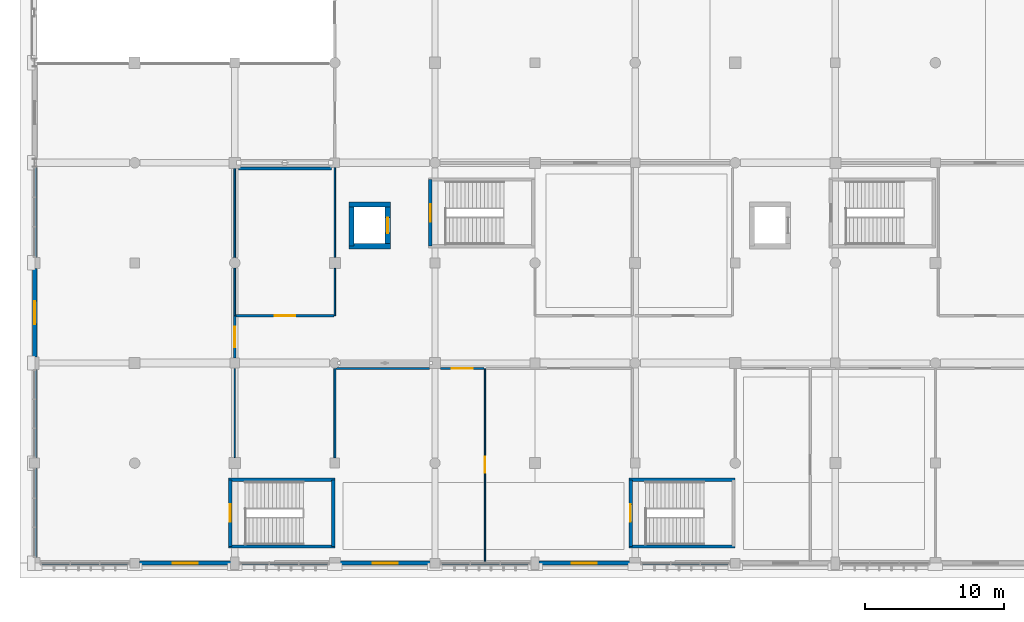
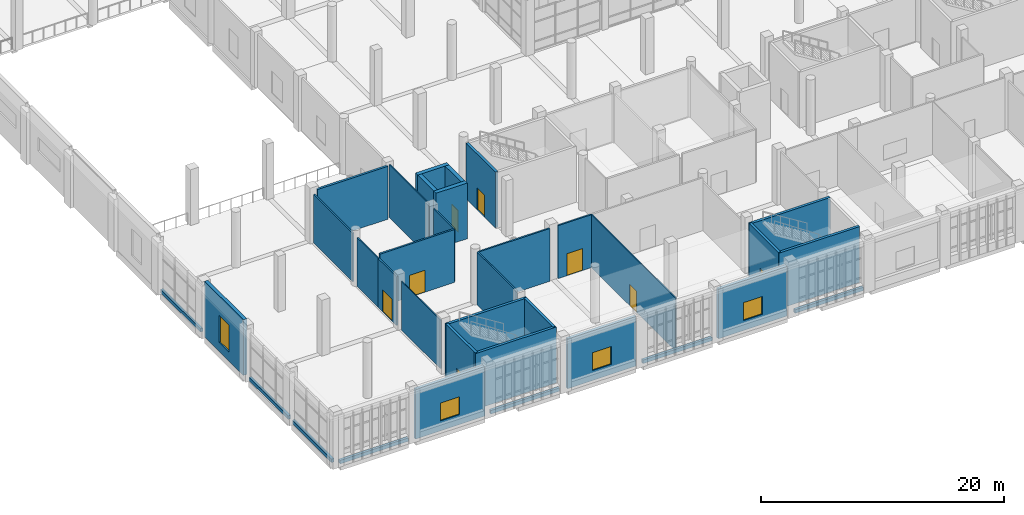
# One storey, part 50 of 80: 35 walls, 8 doors, 4 windows, 12 openings.
"""IFC4 building model written with IfcOpenShell, lengths in metres."""

from ifc_helpers import new_model, si_unit, direction, frame, frame_2d, origin, place, context, subcontext, project, spatial, rectangle, extrude, material, layer, layer_set, type_object, element, fill, save


model = new_model("IFC4")

# Units and contexts
model_context = context("Model", 3, precision=1e-05, world=origin(), true_north=direction((0.0, 1.0)))
body_context = subcontext(model_context, "Body", "Model", "MODEL_VIEW")
ifc_project = project(units=[si_unit("LENGTHUNIT", "METRE"), si_unit("AREAUNIT", "SQUARE_METRE"), si_unit("VOLUMEUNIT", "CUBIC_METRE"), si_unit("PLANEANGLEUNIT", "RADIAN"), si_unit("MASSUNIT", "GRAM", prefix="KILO")], contexts=[model_context])

# Site, building, storey
site_placement = place(None, origin())
site = spatial("IfcSite", under=ifc_project, at=site_placement, CompositionType="ELEMENT")
building_placement = place(site_placement, origin())
building = spatial("IfcBuilding", under=site, at=building_placement, Name="Sardonyx Promenade Sports Hall", CompositionType="ELEMENT")
storey_placement = place(building_placement, frame((0.0, 0.0, 5.60009765625)))
storey = spatial("IfcBuildingStorey", under=building, at=storey_placement, Name="L01", CompositionType="ELEMENT", Elevation=5.60009765625)

# Wall, opening, door
ifc_material_1 = material(Name="Concrete C40/50", Category="concrete")
ifc_layer_1 = layer(ifc_material_1, 0.3798828125)
ifc_layer_set_1 = layer_set([ifc_layer_1], Name="Wall_Core_Shear_380")
wall_type_1 = type_object("IfcWallType", Name="Wall_Core_Shear_380", PredefinedType="SHEAR", material=ifc_layer_set_1)
wall_1_placement = place(storey_placement, frame((25.39990234375, 22.800048828125, 0.0), z_axis=(0.0, 0.0, 1.0), x_axis=(0.0, 1.0, 0.0)))
wall_1 = element("IfcWall", 1, at=wall_1_placement, inside=storey, type_object=wall_type_1, Name="Lift shaft wall LF1 L01 E", PredefinedType="SHEAR", context=body_context, shape_type="SweptSolid", body=[
    extrude(rectangle(XDim=3.0, YDim=0.3798828125, at=frame_2d((1.5, 0.0))), origin(), (0.0, 0.0, 1.0), 5.599853515625),
])
opening_1_placement = place(wall_1_placement, frame((0.949951171875, 0.0, 0.0)))
opening_1 = element("IfcOpeningElement", 2, at=opening_1_placement, cuts=wall_1, Name="Opening LD01", PredefinedType="OPENING", context=body_context, shape_type="SweptSolid", body=[
    extrude(rectangle(XDim=1.10009765625, YDim=2.199951171875, at=frame_2d((0.550048828125, 1.10009765625))), frame((0.0, 0.2, 0.0), z_axis=(0.0, -1.0, 0.0), x_axis=(1.0, 0.0, 0.0)), (0.0, 0.0, 1.0), 0.4),
])
ifc_material_2 = material(Name="Fire-rated stainless steel sliding lift door", Category="steel")
door_type_1 = type_object("IfcDoorType", Name="Door_Lift_Pass_110x220", OperationType="NOTDEFINED", PredefinedType="DOOR", material=ifc_material_2)
door_1_placement = place(opening_1_placement, origin())
door_1 = element("IfcDoor", 3, at=door_1_placement, inside=storey, type_object=door_type_1, Name="Lift landing sliding door LD-LF1-L01", OperationType="SLIDING_TO_LEFT", OverallHeight=2.199951171875, OverallWidth=1.10009765625, PredefinedType="DOOR", context=body_context, shape_type="SweptSolid", body=[
    extrude(rectangle(XDim=1.10009765625, YDim=2.199951171875, at=frame_2d((0.550048828125, 1.10009765625))), frame((0.0, 0.02490234375, 0.0), z_axis=(0.0, -1.0, 0.0), x_axis=(1.0, 0.0, 0.0)), (0.0, 0.0, 1.0), 0.050048828125),
])
fill(opening_1, door_1)

# Walls
wall_2_placement = place(storey_placement, frame((22.610107421875, 25.800048828125, 0.0), z_axis=(0.0, 0.0, 1.0), x_axis=(1.0, 0.0, 0.0)))
element("IfcWall", 4, at=wall_2_placement, inside=storey, type_object=wall_type_1, Name="Lift shaft wall LF1 L01 N", PredefinedType="SHEAR", context=body_context, shape_type="SweptSolid", body=[
    extrude(rectangle(XDim=2.97998046875, YDim=0.3798828125, at=frame_2d((1.489990234375, 0.0))), origin(), (0.0, 0.0, 1.0), 5.599853515625),
])
wall_3_placement = place(storey_placement, frame((22.800048828125, 25.800048828125, 0.0), z_axis=(0.0, 0.0, 1.0), x_axis=(0.0, -1.0, 0.0)))
element("IfcWall", 5, at=wall_3_placement, inside=storey, type_object=wall_type_1, Name="Lift shaft wall LF1 L01 W", PredefinedType="SHEAR", context=body_context, shape_type="SweptSolid", body=[
    extrude(rectangle(XDim=3.0, YDim=0.3798828125, at=frame_2d((1.5, 0.0))), origin(), (0.0, 0.0, 1.0), 5.599853515625),
])
wall_4_placement = place(storey_placement, frame((25.590087890625, 22.800048828125, 0.0), z_axis=(0.0, 0.0, 1.0), x_axis=(-1.0, 0.0, 0.0)))
element("IfcWall", 6, at=wall_4_placement, inside=storey, type_object=wall_type_1, Name="Lift shaft wall LF1 L01 S", PredefinedType="SHEAR", context=body_context, shape_type="SweptSolid", body=[
    extrude(rectangle(XDim=2.97998046875, YDim=0.3798828125, at=frame_2d((1.489990234375, 0.0))), origin(), (0.0, 0.0, 1.0), 5.599853515625),
])

# Wall, opening, window
ifc_material_3 = material(Name="Concrete C40/50", Category="concrete")
ifc_layer_2 = layer(ifc_material_3, 0.320068359375)
ifc_layer_set_2 = layer_set([ifc_layer_2], Name="Wall_Ext_Court_320")
wall_type_2 = type_object("IfcWallType", Name="Wall_Ext_Court_320", PredefinedType="SOLIDWALL", material=ifc_layer_set_2)
wall_5_placement = place(storey_placement, frame((0.0, 14.8349609375, 0.0), z_axis=(0.0, 0.0, 1.0), x_axis=(0.0, 1.0, 0.0)))
wall_5 = element("IfcWall", 7, at=wall_5_placement, inside=storey, type_object=wall_type_2, Name="Exterior wall EW01 L01 #140", PredefinedType="SOLIDWALL", context=body_context, shape_type="SweptSolid", body=[
    extrude(rectangle(XDim=6.380126953125, YDim=0.320068359375, at=frame_2d((3.18994140625, 0.0))), origin(), (0.0, 0.0, 1.0), 5.599853515625),
])
opening_2_placement = place(wall_5_placement, frame((2.364990234375, 0.0, 0.89990234375)))
opening_2 = element("IfcOpeningElement", 8, at=opening_2_placement, cuts=wall_5, Name="Opening W10", PredefinedType="OPENING", context=body_context, shape_type="SweptSolid", body=[
    extrude(rectangle(XDim=1.64990234375, YDim=2.699951171875, at=frame_2d((0.824951171875, 1.35009765625))), frame((0.0, 0.17, 0.0), z_axis=(0.0, -1.0, 0.0), x_axis=(1.0, 0.0, 0.0)), (0.0, 0.0, 1.0), 0.34),
])
ifc_material_4 = material(Name="Double-glazed solar low-E aluminium window", Category="aluminium")
window_type_1 = type_object("IfcWindowType", Name="Win_Sandstone_TallB", PartitioningType="SINGLE_PANEL", PredefinedType="WINDOW", material=ifc_material_4)
window_1_placement = place(opening_2_placement, origin())
window_1 = element("IfcWindow", 9, at=window_1_placement, inside=storey, type_object=window_type_1, Name="Facade window W10 L01 #59", OverallHeight=2.699951171875, OverallWidth=1.64990234375, PartitioningType="SINGLE_PANEL", PredefinedType="WINDOW", context=body_context, shape_type="SweptSolid", body=[
    extrude(rectangle(XDim=1.64990234375, YDim=2.699951171875, at=frame_2d((0.824951171875, 1.35009765625))), frame((0.0, 0.030029296875, 0.0), z_axis=(0.0, -1.0, 0.0), x_axis=(1.0, 0.0, 0.0)), (0.0, 0.0, 1.0), 0.06005859375),
])
fill(opening_2, window_1)

# Walls
ifc_material_5 = material(Name="Masonry CMU 15 MPa", Category="masonry")
ifc_layer_3 = layer(ifc_material_5, 0.239990234375)
ifc_layer_set_3 = layer_set([ifc_layer_3], Name="Wall_Ext_Spandrel_240")
wall_type_3 = type_object("IfcWallType", Name="Wall_Ext_Spandrel_240", PredefinedType="SOLIDWALL", material=ifc_layer_set_3)
wall_6_placement = place(storey_placement, frame((50.06494140625, 0.0, 0.0), z_axis=(0.0, 0.0, 1.0), x_axis=(-1.0, 0.0, 0.0)))
element("IfcWall", 10, at=wall_6_placement, inside=storey, type_object=wall_type_3, Name="Curtain-wall sill spandrel L01 #47", PredefinedType="SOLIDWALL", context=body_context, shape_type="SweptSolid", body=[
    extrude(rectangle(XDim=6.47998046875, YDim=0.239990234375, at=frame_2d((3.239990234375, 0.0))), origin(), (0.0, 0.0, 1.0), 0.349853515625),
])
wall_7_placement = place(storey_placement, frame((35.715087890625, 0.0, 0.0), z_axis=(0.0, 0.0, 1.0), x_axis=(-1.0, 0.0, 0.0)))
element("IfcWall", 11, at=wall_7_placement, inside=storey, type_object=wall_type_3, Name="Curtain-wall sill spandrel L01 #49", PredefinedType="SOLIDWALL", context=body_context, shape_type="SweptSolid", body=[
    extrude(rectangle(XDim=6.580078125, YDim=0.239990234375, at=frame_2d((3.2900390625, 0.0))), origin(), (0.0, 0.0, 1.0), 0.349853515625),
])
wall_8_placement = place(storey_placement, frame((21.215087890625, 0.0, 0.0), z_axis=(0.0, 0.0, 1.0), x_axis=(-1.0, 0.0, 0.0)))
element("IfcWall", 12, at=wall_8_placement, inside=storey, type_object=wall_type_3, Name="Curtain-wall sill spandrel L01 #51", PredefinedType="SOLIDWALL", context=body_context, shape_type="SweptSolid", body=[
    extrude(rectangle(XDim=6.530029296875, YDim=0.239990234375, at=frame_2d((3.26513671875, 0.0))), origin(), (0.0, 0.0, 1.0), 0.349853515625),
])
for number, where, z_axis, x_axis, name in (
    (13, (6.864990234375, 0.0, 0.0), (0.0, 0.0, 1.0), (-1.0, 0.0, 0.0), "Curtain-wall sill spandrel L01 #53"),
    (14, (0.0, 0.385009765625, 0.0), (0.0, 0.0, 1.0), (0.0, 1.0, 0.0), "Curtain-wall sill spandrel L01 #138"),
):
    element("IfcWall", number, at=place(storey_placement, frame(where, z_axis=z_axis, x_axis=x_axis)), inside=storey, type_object=wall_type_3, Name=name, PredefinedType="SOLIDWALL", context=body_context, shape_type="SweptSolid", body=[
        extrude(rectangle(XDim=6.47998046875, YDim=0.239990234375, at=frame_2d((3.239990234375, 0.0))), origin(), (0.0, 0.0, 1.0), 0.349853515625),
    ])
wall_9_placement = place(storey_placement, frame((0.0, 7.534912109375, 0.0), z_axis=(0.0, 0.0, 1.0), x_axis=(0.0, 1.0, 0.0)))
element("IfcWall", 15, at=wall_9_placement, inside=storey, type_object=wall_type_3, Name="Curtain-wall sill spandrel L01 #139", PredefinedType="SOLIDWALL", context=body_context, shape_type="SweptSolid", body=[
    extrude(rectangle(XDim=6.43017578125, YDim=0.239990234375, at=frame_2d((3.215087890625, 0.0))), origin(), (0.0, 0.0, 1.0), 0.349853515625),
])
wall_10_placement = place(storey_placement, frame((0.0, 21.985107421875, 0.0), z_axis=(0.0, 0.0, 1.0), x_axis=(0.0, 1.0, 0.0)))
element("IfcWall", 16, at=wall_10_placement, inside=storey, type_object=wall_type_3, Name="Curtain-wall sill spandrel L01 #141", PredefinedType="SOLIDWALL", context=body_context, shape_type="SweptSolid", body=[
    extrude(rectangle(XDim=6.534912109375, YDim=0.239990234375, at=frame_2d((3.267578125, 0.0))), origin(), (0.0, 0.0, 1.0), 0.349853515625),
])

# Wall, opening, window
ifc_material_6 = material(Name="Concrete C40/50", Category="concrete")
ifc_layer_4 = layer(ifc_material_6, 0.280029296875)
ifc_layer_set_4 = layer_set([ifc_layer_4], Name="Wall_Ext_Wing_280")
wall_type_4 = type_object("IfcWallType", Name="Wall_Ext_Wing_280", PredefinedType="SOLIDWALL", material=ifc_layer_set_4)
wall_11_placement = place(storey_placement, frame((42.81494140625, 0.0, 0.0), z_axis=(0.0, 0.0, 1.0), x_axis=(-1.0, 0.0, 0.0)))
wall_11 = element("IfcWall", 17, at=wall_11_placement, inside=storey, type_object=wall_type_4, Name="Exterior wall EW02 L01 #48", PredefinedType="SOLIDWALL", context=body_context, shape_type="SweptSolid", body=[
    extrude(rectangle(XDim=6.530029296875, YDim=0.280029296875, at=frame_2d((3.26513671875, 0.0))), origin(), (0.0, 0.0, 1.0), 4.98486328125),
])
opening_3_placement = place(wall_11_placement, frame((2.364990234375, 0.0, 1.0)))
opening_3 = element("IfcOpeningElement", 18, at=opening_3_placement, cuts=wall_11, Name="Opening W20", PredefinedType="OPENING", context=body_context, shape_type="SweptSolid", body=[
    extrude(rectangle(XDim=1.800048828125, YDim=1.800048828125, at=frame_2d((0.89990234375, 0.89990234375))), frame((0.0, 0.15, 0.0), z_axis=(0.0, -1.0, 0.0), x_axis=(1.0, 0.0, 0.0)), (0.0, 0.0, 1.0), 0.3),
])
ifc_material_7 = material(Name="Double-glazed solar low-E aluminium window", Category="aluminium")
window_type_2 = type_object("IfcWindowType", Name="Win_Clinic_180x180", PartitioningType="DOUBLE_PANEL_VERTICAL", PredefinedType="WINDOW", material=ifc_material_7)
window_2_placement = place(opening_3_placement, origin())
window_2 = element("IfcWindow", 19, at=window_2_placement, inside=storey, type_object=window_type_2, Name="Facade window W20 L01 #17", OverallHeight=1.800048828125, OverallWidth=1.800048828125, PartitioningType="SINGLE_PANEL", PredefinedType="WINDOW", context=body_context, shape_type="SweptSolid", body=[
    extrude(rectangle(XDim=1.800048828125, YDim=1.800048828125, at=frame_2d((0.89990234375, 0.89990234375))), frame((0.0, 0.030029296875, 0.0), z_axis=(0.0, -1.0, 0.0), x_axis=(1.0, 0.0, 0.0)), (0.0, 0.0, 1.0), 0.06005859375),
])
fill(opening_3, window_2)

wall_12_placement = place(storey_placement, frame((28.465087890625, 0.0, 0.0), z_axis=(0.0, 0.0, 1.0), x_axis=(-1.0, 0.0, 0.0)))
wall_12 = element("IfcWall", 20, at=wall_12_placement, inside=storey, type_object=wall_type_4, Name="Exterior wall EW02 L01 #50", PredefinedType="SOLIDWALL", context=body_context, shape_type="SweptSolid", body=[
    extrude(rectangle(XDim=6.47998046875, YDim=0.280029296875, at=frame_2d((3.239990234375, 0.0))), origin(), (0.0, 0.0, 1.0), 4.98486328125),
])
opening_4_placement = place(wall_12_placement, frame((2.340087890625, 0.0, 1.0)))
opening_4 = element("IfcOpeningElement", 21, at=opening_4_placement, cuts=wall_12, Name="Opening W20", PredefinedType="OPENING", context=body_context, shape_type="SweptSolid", body=[
    extrude(rectangle(XDim=1.800048828125, YDim=1.800048828125, at=frame_2d((0.89990234375, 0.89990234375))), frame((0.0, 0.15, 0.0), z_axis=(0.0, -1.0, 0.0), x_axis=(1.0, 0.0, 0.0)), (0.0, 0.0, 1.0), 0.3),
])
window_3_placement = place(opening_4_placement, origin())
window_3 = element("IfcWindow", 22, at=window_3_placement, inside=storey, type_object=window_type_2, Name="Facade window W20 L01 #18", OverallHeight=1.800048828125, OverallWidth=1.800048828125, PartitioningType="SINGLE_PANEL", PredefinedType="WINDOW", context=body_context, shape_type="SweptSolid", body=[
    extrude(rectangle(XDim=1.800048828125, YDim=1.800048828125, at=frame_2d((0.89990234375, 0.89990234375))), frame((0.0, 0.030029296875, 0.0), z_axis=(0.0, -1.0, 0.0), x_axis=(1.0, 0.0, 0.0)), (0.0, 0.0, 1.0), 0.06005859375),
])
fill(opening_4, window_3)

wall_13_placement = place(storey_placement, frame((14.114990234375, 0.0, 0.0), z_axis=(0.0, 0.0, 1.0), x_axis=(-1.0, 0.0, 0.0)))
wall_13 = element("IfcWall", 23, at=wall_13_placement, inside=storey, type_object=wall_type_4, Name="Exterior wall EW02 L01 #52", PredefinedType="SOLIDWALL", context=body_context, shape_type="SweptSolid", body=[
    extrude(rectangle(XDim=6.580078125, YDim=0.280029296875, at=frame_2d((3.2900390625, 0.0))), origin(), (0.0, 0.0, 1.0), 4.98486328125),
])
opening_5_placement = place(wall_13_placement, frame((2.389892578125, 0.0, 1.0)))
opening_5 = element("IfcOpeningElement", 24, at=opening_5_placement, cuts=wall_13, Name="Opening W20", PredefinedType="OPENING", context=body_context, shape_type="SweptSolid", body=[
    extrude(rectangle(XDim=1.800048828125, YDim=1.800048828125, at=frame_2d((0.89990234375, 0.89990234375))), frame((0.0, 0.15, 0.0), z_axis=(0.0, -1.0, 0.0), x_axis=(1.0, 0.0, 0.0)), (0.0, 0.0, 1.0), 0.3),
])
window_4_placement = place(opening_5_placement, origin())
window_4 = element("IfcWindow", 25, at=window_4_placement, inside=storey, type_object=window_type_2, Name="Facade window W20 L01 #19", OverallHeight=1.800048828125, OverallWidth=1.800048828125, PartitioningType="SINGLE_PANEL", PredefinedType="WINDOW", context=body_context, shape_type="SweptSolid", body=[
    extrude(rectangle(XDim=1.800048828125, YDim=1.800048828125, at=frame_2d((0.89990234375, 0.89990234375))), frame((0.0, 0.030029296875, 0.0), z_axis=(0.0, -1.0, 0.0), x_axis=(1.0, 0.0, 0.0)), (0.0, 0.0, 1.0), 0.06005859375),
])
fill(opening_5, window_4)

# Wall, opening, door
ifc_material_8 = material(Name="Twin-stud acoustic gypsum partition", Category="gypsum")
ifc_layer_5 = layer(ifc_material_8, 0.169921875)
ifc_layer_set_5 = layer_set([ifc_layer_5], Name="Wall_Part_Acoust_170")
wall_type_5 = type_object("IfcWallType", Name="Wall_Part_Acoust_170", PredefinedType="PARTITIONING", material=ifc_layer_set_5)
wall_14_placement = place(storey_placement, frame((14.485107421875, 17.800048828125, 0.0), z_axis=(0.0, 0.0, 1.0), x_axis=(1.0, 0.0, 0.0)))
wall_14 = element("IfcWall", 26, at=wall_14_placement, inside=storey, type_object=wall_type_5, Name="Interior partition PW06 L01 #227", PredefinedType="PARTITIONING", context=body_context, shape_type="SweptSolid", body=[
    extrude(rectangle(XDim=7.044921875, YDim=0.169921875, at=frame_2d((3.5224609375, 0.0))), origin(), (0.0, 0.0, 1.0), 5.309814453125),
])
opening_6_placement = place(wall_14_placement, frame((2.7724609375, 0.0, 0.0)))
opening_6 = element("IfcOpeningElement", 27, at=opening_6_placement, cuts=wall_14, Name="Opening ID10", PredefinedType="OPENING", context=body_context, shape_type="SweptSolid", body=[
    extrude(rectangle(XDim=1.5, YDim=2.199951171875, at=frame_2d((0.75, 1.10009765625))), frame((0.0, 0.095, 0.0), z_axis=(0.0, -1.0, 0.0), x_axis=(1.0, 0.0, 0.0)), (0.0, 0.0, 1.0), 0.19),
])
ifc_material_9 = material(Name="Double studio entrance fire door FD30S", Category="wood")
door_type_2 = type_object("IfcDoorType", Name="Door_Corr_FD30_150x220", OperationType="NOTDEFINED", PredefinedType="DOOR", material=ifc_material_9)
door_2_placement = place(opening_6_placement, origin())
door_2 = element("IfcDoor", 28, at=door_2_placement, inside=storey, type_object=door_type_2, Name="Interior door D01-068", OperationType="DOUBLE_DOOR_SINGLE_SWING", OverallHeight=2.199951171875, OverallWidth=1.5, PredefinedType="DOOR", context=body_context, shape_type="SweptSolid", body=[
    extrude(rectangle(XDim=1.5, YDim=2.199951171875, at=frame_2d((0.75, 1.10009765625))), frame((0.0, 0.02490234375, 0.0), z_axis=(0.0, -1.0, 0.0), x_axis=(1.0, 0.0, 0.0)), (0.0, 0.0, 1.0), 0.050048828125),
])
fill(opening_6, door_2)

# Walls
ifc_material_10 = material(Name="Masonry CMU 15 MPa", Category="masonry")
ifc_layer_6 = layer(ifc_material_10, 0.2099609375)
ifc_layer_set_6 = layer_set([ifc_layer_6], Name="Wall_Part_Block_210")
wall_type_6 = type_object("IfcWallType", Name="Wall_Part_Block_210", PredefinedType="PARTITIONING", material=ifc_layer_set_6)
wall_15_placement = place(storey_placement, frame((14.659912109375, 28.39990234375, 0.0), z_axis=(0.0, 0.0, 1.0), x_axis=(1.0, 0.0, 0.0)))
element("IfcWall", 29, at=wall_15_placement, inside=storey, type_object=wall_type_6, Name="Interior partition PW07 L01 #196", PredefinedType="PARTITIONING", context=body_context, shape_type="SweptSolid", body=[
    extrude(rectangle(XDim=6.68017578125, YDim=0.2099609375, at=frame_2d((3.340087890625, 0.0))), origin(), (0.0, 0.0, 1.0), 5.309814453125),
])
ifc_material_11 = material(Name="Hygienic clinical stud partition", Category="gypsum")
ifc_layer_7 = layer(ifc_material_11, 0.1201171875)
ifc_layer_set_7 = layer_set([ifc_layer_7], Name="Wall_Part_Clinic_120")
wall_type_7 = type_object("IfcWallType", Name="Wall_Part_Clinic_120", PredefinedType="PARTITIONING", material=ifc_layer_set_7)
wall_16_placement = place(storey_placement, frame((21.60009765625, 17.800048828125, 0.0), z_axis=(0.0, 0.0, 1.0), x_axis=(0.0, 1.0, 0.0)))
element("IfcWall", 30, at=wall_16_placement, inside=storey, type_object=wall_type_7, Name="Interior partition PW02 L01 #175", PredefinedType="PARTITIONING", context=body_context, shape_type="SweptSolid", body=[
    extrude(rectangle(XDim=3.39990234375, YDim=0.1201171875, at=frame_2d((1.699951171875, 0.0))), origin(), (0.0, 0.0, 1.0), 5.309814453125),
])
wall_17_placement = place(storey_placement, frame((21.60009765625, 22.0, 0.0), z_axis=(0.0, 0.0, 1.0), x_axis=(0.0, 1.0, 0.0)))
element("IfcWall", 31, at=wall_17_placement, inside=storey, type_object=wall_type_7, Name="Interior partition PW02 L01 #176", PredefinedType="PARTITIONING", context=body_context, shape_type="SweptSolid", body=[
    extrude(rectangle(XDim=6.449951171875, YDim=0.1201171875, at=frame_2d((3.22509765625, 0.0))), origin(), (0.0, 0.0, 1.0), 5.309814453125),
])

# Wall, opening, door
ifc_material_12 = material(Name="Fire-rated stud gypsum partition", Category="gypsum")
ifc_layer_8 = layer(ifc_material_12, 0.14990234375)
ifc_layer_set_8 = layer_set([ifc_layer_8], Name="Wall_Part_Corridor_150")
wall_type_8 = type_object("IfcWallType", Name="Wall_Part_Corridor_150", PredefinedType="PARTITIONING", material=ifc_layer_set_8)
wall_18_placement = place(storey_placement, frame((14.39990234375, 14.75, 0.0), z_axis=(0.0, 0.0, 1.0), x_axis=(0.0, 1.0, 0.0)))
wall_18 = element("IfcWall", 32, at=wall_18_placement, inside=storey, type_object=wall_type_8, Name="Interior partition PW04 L01 #194", PredefinedType="PARTITIONING", context=body_context, shape_type="SweptSolid", body=[
    extrude(rectangle(XDim=3.0400390625, YDim=0.14990234375, at=frame_2d((1.52001953125, 0.0))), origin(), (0.0, 0.0, 1.0), 4.8798828125),
])
opening_7_placement = place(wall_18_placement, frame((0.77001953125, 0.0, 0.0)))
opening_7 = element("IfcOpeningElement", 33, at=opening_7_placement, cuts=wall_18, Name="Opening ID10", PredefinedType="OPENING", context=body_context, shape_type="SweptSolid", body=[
    extrude(rectangle(XDim=1.5, YDim=2.199951171875, at=frame_2d((0.75, 1.10009765625))), frame((0.0, 0.085, 0.0), z_axis=(0.0, -1.0, 0.0), x_axis=(1.0, 0.0, 0.0)), (0.0, 0.0, 1.0), 0.17),
])
door_3_placement = place(opening_7_placement, origin())
door_3 = element("IfcDoor", 34, at=door_3_placement, inside=storey, type_object=door_type_2, Name="Interior door D01-050", OperationType="DOUBLE_DOOR_SINGLE_SWING", OverallHeight=2.199951171875, OverallWidth=1.5, PredefinedType="DOOR", context=body_context, shape_type="SweptSolid", body=[
    extrude(rectangle(XDim=1.5, YDim=2.199951171875, at=frame_2d((0.75, 1.10009765625))), frame((0.0, 0.02490234375, 0.0), z_axis=(0.0, -1.0, 0.0), x_axis=(1.0, 0.0, 0.0)), (0.0, 0.0, 1.0), 0.050048828125),
])
fill(opening_7, door_3)

# Wall
wall_19_placement = place(storey_placement, frame((21.679931640625, 14.0, 0.0), z_axis=(0.0, 0.0, 1.0), x_axis=(1.0, 0.0, 0.0)))
element("IfcWall", 35, at=wall_19_placement, inside=storey, type_object=wall_type_8, Name="Interior partition PW04 L01 #209", PredefinedType="PARTITIONING", context=body_context, shape_type="SweptSolid", body=[
    extrude(rectangle(XDim=6.719970703125, YDim=0.14990234375, at=frame_2d((3.35986328125, 0.0))), origin(), (0.0, 0.0, 1.0), 5.309814453125),
])

# Wall, opening, door
wall_20_placement = place(storey_placement, frame((29.199951171875, 14.0, 0.0), z_axis=(0.0, 0.0, 1.0), x_axis=(1.0, 0.0, 0.0)))
wall_20 = element("IfcWall", 36, at=wall_20_placement, inside=storey, type_object=wall_type_8, Name="Interior partition PW04 L01 #210", PredefinedType="PARTITIONING", context=body_context, shape_type="SweptSolid", body=[
    extrude(rectangle(XDim=3.14013671875, YDim=0.14990234375, at=frame_2d((1.570068359375, 0.0))), origin(), (0.0, 0.0, 1.0), 5.309814453125),
])
opening_8_placement = place(wall_20_placement, frame((0.820068359375, 0.0, 0.0)))
opening_8 = element("IfcOpeningElement", 37, at=opening_8_placement, cuts=wall_20, Name="Opening ID10", PredefinedType="OPENING", context=body_context, shape_type="SweptSolid", body=[
    extrude(rectangle(XDim=1.5, YDim=2.199951171875, at=frame_2d((0.75, 1.10009765625))), frame((0.0, 0.085, 0.0), z_axis=(0.0, -1.0, 0.0), x_axis=(1.0, 0.0, 0.0)), (0.0, 0.0, 1.0), 0.17),
])
door_4_placement = place(opening_8_placement, origin())
door_4 = element("IfcDoor", 38, at=door_4_placement, inside=storey, type_object=door_type_2, Name="Interior door D01-055", OperationType="DOUBLE_DOOR_SINGLE_SWING", OverallHeight=2.199951171875, OverallWidth=1.5, PredefinedType="DOOR", context=body_context, shape_type="SweptSolid", body=[
    extrude(rectangle(XDim=1.5, YDim=2.199951171875, at=frame_2d((0.75, 1.10009765625))), frame((0.0, 0.02490234375, 0.0), z_axis=(0.0, -1.0, 0.0), x_axis=(1.0, 0.0, 0.0)), (0.0, 0.0, 1.0), 0.050048828125),
])
fill(opening_8, door_4)

# Wall
ifc_material_13 = material(Name="Lightweight steel-stud partition", Category="steel")
ifc_layer_9 = layer(ifc_material_13, 0.10009765625)
ifc_layer_set_9 = layer_set([ifc_layer_9], Name="Wall_Part_Light_100")
wall_type_9 = type_object("IfcWallType", Name="Wall_Part_Light_100", PredefinedType="PARTITIONING", material=ifc_layer_set_9)
wall_21_placement = place(storey_placement, frame((14.39990234375, 7.60009765625, 0.0), z_axis=(0.0, 0.0, 1.0), x_axis=(0.0, 1.0, 0.0)))
element("IfcWall", 39, at=wall_21_placement, inside=storey, type_object=wall_type_9, Name="Interior partition PW01 L01 #149", PredefinedType="PARTITIONING", context=body_context, shape_type="SweptSolid", body=[
    extrude(rectangle(XDim=6.39990234375, YDim=0.10009765625, at=frame_2d((3.199951171875, 0.0))), origin(), (0.0, 0.0, 1.0), 4.8798828125),
])

# Wall, opening, door
wall_22_placement = place(storey_placement, frame((32.39990234375, 0.1298828125, 0.0), z_axis=(0.0, 0.0, 1.0), x_axis=(0.0, 1.0, 0.0)))
wall_22 = element("IfcWall", 40, at=wall_22_placement, inside=storey, type_object=wall_type_9, Name="Interior partition PW01 L01 #169", PredefinedType="PARTITIONING", context=body_context, shape_type="SweptSolid", body=[
    extrude(rectangle(XDim=13.8701171875, YDim=0.10009765625, at=frame_2d((6.93505859375, 0.0))), origin(), (0.0, 0.0, 1.0), 5.309814453125),
])
opening_9_placement = place(wall_22_placement, frame((6.360107421875, 0.0, 0.0)))
opening_9 = element("IfcOpeningElement", 41, at=opening_9_placement, cuts=wall_22, Name="Opening ID01", PredefinedType="OPENING", context=body_context, shape_type="SweptSolid", body=[
    extrude(rectangle(XDim=1.14990234375, YDim=2.14990234375, at=frame_2d((0.574951171875, 1.074951171875))), frame((0.0, 0.06, 0.0), z_axis=(0.0, -1.0, 0.0), x_axis=(1.0, 0.0, 0.0)), (0.0, 0.0, 1.0), 0.12),
])
ifc_material_14 = material(Name="Wide treatment couch door", Category="wood")
door_type_3 = type_object("IfcDoorType", Name="Door_Suite_115x215", OperationType="NOTDEFINED", PredefinedType="DOOR", material=ifc_material_14)
door_5_placement = place(opening_9_placement, origin())
door_5 = element("IfcDoor", 42, at=door_5_placement, inside=storey, type_object=door_type_3, Name="Interior door D01-045", OperationType="SINGLE_SWING_LEFT", OverallHeight=2.14990234375, OverallWidth=1.14990234375, PredefinedType="DOOR", context=body_context, shape_type="SweptSolid", body=[
    extrude(rectangle(XDim=1.14990234375, YDim=2.14990234375, at=frame_2d((0.574951171875, 1.074951171875))), frame((0.0, 0.02490234375, 0.0), z_axis=(0.0, -1.0, 0.0), x_axis=(1.0, 0.0, 0.0)), (0.0, 0.0, 1.0), 0.050048828125),
])
fill(opening_9, door_5)

# Walls
ifc_material_15 = material(Name="Acoustic sports stud partition", Category="gypsum")
ifc_layer_10 = layer(ifc_material_15, 0.1298828125)
ifc_layer_set_10 = layer_set([ifc_layer_10], Name="Wall_Part_Studio_130")
wall_type_10 = type_object("IfcWallType", Name="Wall_Part_Studio_130", PredefinedType="PARTITIONING", material=ifc_layer_set_10)
wall_23_placement = place(storey_placement, frame((14.39990234375, 17.800048828125, 0.0), z_axis=(0.0, 0.0, 1.0), x_axis=(0.0, 1.0, 0.0)))
element("IfcWall", 43, at=wall_23_placement, inside=storey, type_object=wall_type_10, Name="Interior partition PW05 L01 #173", PredefinedType="PARTITIONING", context=body_context, shape_type="SweptSolid", body=[
    extrude(rectangle(XDim=3.425048828125, YDim=0.1298828125, at=frame_2d((1.71240234375, 0.0))), origin(), (0.0, 0.0, 1.0), 4.8798828125),
])
wall_24_placement = place(storey_placement, frame((14.39990234375, 21.97509765625, 0.0), z_axis=(0.0, 0.0, 1.0), x_axis=(0.0, 1.0, 0.0)))
element("IfcWall", 44, at=wall_24_placement, inside=storey, type_object=wall_type_10, Name="Interior partition PW05 L01 #174", PredefinedType="PARTITIONING", context=body_context, shape_type="SweptSolid", body=[
    extrude(rectangle(XDim=6.4248046875, YDim=0.1298828125, at=frame_2d((3.21240234375, 0.0))), origin(), (0.0, 0.0, 1.0), 4.8798828125),
])
ifc_material_16 = material(Name="Moisture-resistant masonry partition", Category="masonry")
ifc_layer_11 = layer(ifc_material_16, 0.139892578125)
ifc_layer_set_11 = layer_set([ifc_layer_11], Name="Wall_Part_Wet_140")
wall_type_11 = type_object("IfcWallType", Name="Wall_Part_Wet_140", PredefinedType="PARTITIONING", material=ifc_layer_set_11)
wall_25_placement = place(storey_placement, frame((21.60009765625, 7.550048828125, 0.0), z_axis=(0.0, 0.0, 1.0), x_axis=(0.0, 1.0, 0.0)))
element("IfcWall", 45, at=wall_25_placement, inside=storey, type_object=wall_type_11, Name="Interior partition PW08 L01 #150", PredefinedType="PARTITIONING", context=body_context, shape_type="SweptSolid", body=[
    extrude(rectangle(XDim=6.449951171875, YDim=0.139892578125, at=frame_2d((3.22509765625, 0.0))), origin(), (0.0, 0.0, 1.0), 5.309814453125),
])

# Wall, opening, door
ifc_material_17 = material(Name="Concrete C40/50", Category="concrete")
ifc_layer_12 = layer(ifc_material_17, 0.25)
ifc_layer_set_12 = layer_set([ifc_layer_12], Name="Wall_Stair_Shear_250")
wall_type_12 = type_object("IfcWallType", Name="Wall_Stair_Shear_250", PredefinedType="SHEAR", material=ifc_layer_set_12)
wall_26_placement = place(storey_placement, frame((28.47509765625, 22.800048828125, 0.0), z_axis=(0.0, 0.0, 1.0), x_axis=(0.0, 1.0, 0.0)))
wall_26 = element("IfcWall", 46, at=wall_26_placement, inside=storey, type_object=wall_type_12, Name="Stair shaft wall ST1 L01 entry", PredefinedType="SHEAR", context=body_context, shape_type="SweptSolid", body=[
    extrude(rectangle(XDim=4.800048828125, YDim=0.25, at=frame_2d((2.39990234375, 0.0))), origin(), (0.0, 0.0, 1.0), 5.599853515625),
])
opening_10_placement = place(wall_26_placement, frame((1.77490234375, 0.0, 0.0)))
opening_10 = element("IfcOpeningElement", 47, at=opening_10_placement, cuts=wall_26, Name="Opening ID13", PredefinedType="OPENING", context=body_context, shape_type="SweptSolid", body=[
    extrude(rectangle(XDim=1.25, YDim=2.199951171875, at=frame_2d((0.625, 1.10009765625))), frame((0.0, 0.135, 0.0), z_axis=(0.0, -1.0, 0.0), x_axis=(1.0, 0.0, 0.0)), (0.0, 0.0, 1.0), 0.27),
])
ifc_material_18 = material(Name="Solid-core hardwood fire door FD60S", Category="wood")
door_type_4 = type_object("IfcDoorType", Name="Door_Stair_FD60_125x220", OperationType="NOTDEFINED", PredefinedType="DOOR", material=ifc_material_18)
door_6_placement = place(opening_10_placement, origin())
door_6 = element("IfcDoor", 48, at=door_6_placement, inside=storey, type_object=door_type_4, Name="Protected stair door SD03 (ST1 L01)", OperationType="SINGLE_SWING_LEFT", OverallHeight=2.199951171875, OverallWidth=1.25, PredefinedType="DOOR", context=body_context, shape_type="SweptSolid", body=[
    extrude(rectangle(XDim=1.25, YDim=2.199951171875, at=frame_2d((0.625, 1.10009765625))), frame((0.0, 0.02490234375, 0.0), z_axis=(0.0, -1.0, 0.0), x_axis=(1.0, 0.0, 0.0)), (0.0, 0.0, 1.0), 0.050048828125),
])
fill(opening_10, door_6)

wall_27_placement = place(storey_placement, frame((14.074951171875, 1.199951171875, 0.0), z_axis=(0.0, 0.0, 1.0), x_axis=(0.0, 1.0, 0.0)))
wall_27 = element("IfcWall", 49, at=wall_27_placement, inside=storey, type_object=wall_type_12, Name="Stair shaft wall ST5 L01 entry", PredefinedType="SHEAR", context=body_context, shape_type="SweptSolid", body=[
    extrude(rectangle(XDim=4.800048828125, YDim=0.25, at=frame_2d((2.39990234375, 0.0))), origin(), (0.0, 0.0, 1.0), 5.599853515625),
])
opening_11_placement = place(wall_27_placement, frame((1.77490234375, 0.0, 0.0)))
opening_11 = element("IfcOpeningElement", 50, at=opening_11_placement, cuts=wall_27, Name="Opening ID13", PredefinedType="OPENING", context=body_context, shape_type="SweptSolid", body=[
    extrude(rectangle(XDim=1.25, YDim=2.199951171875, at=frame_2d((0.625, 1.10009765625))), frame((0.0, 0.135, 0.0), z_axis=(0.0, -1.0, 0.0), x_axis=(1.0, 0.0, 0.0)), (0.0, 0.0, 1.0), 0.27),
])
door_7_placement = place(opening_11_placement, origin())
door_7 = element("IfcDoor", 51, at=door_7_placement, inside=storey, type_object=door_type_4, Name="Protected stair door SD23 (ST5 L01)", OperationType="SINGLE_SWING_LEFT", OverallHeight=2.199951171875, OverallWidth=1.25, PredefinedType="DOOR", context=body_context, shape_type="SweptSolid", body=[
    extrude(rectangle(XDim=1.25, YDim=2.199951171875, at=frame_2d((0.625, 1.10009765625))), frame((0.0, 0.02490234375, 0.0), z_axis=(0.0, -1.0, 0.0), x_axis=(1.0, 0.0, 0.0)), (0.0, 0.0, 1.0), 0.050048828125),
])
fill(opening_11, door_7)

# Walls
wall_28_placement = place(storey_placement, frame((13.949951171875, 6.0, 0.0), z_axis=(0.0, 0.0, 1.0), x_axis=(1.0, 0.0, 0.0)))
element("IfcWall", 52, at=wall_28_placement, inside=storey, type_object=wall_type_12, Name="Stair shaft wall ST5 L01 N", PredefinedType="SHEAR", context=body_context, shape_type="SweptSolid", body=[
    extrude(rectangle(XDim=7.650146484375, YDim=0.25, at=frame_2d((3.8251953125, 0.0))), origin(), (0.0, 0.0, 1.0), 5.599853515625),
])
wall_29_placement = place(storey_placement, frame((21.47509765625, 6.0, 0.0), z_axis=(0.0, 0.0, 1.0), x_axis=(0.0, -1.0, 0.0)))
element("IfcWall", 53, at=wall_29_placement, inside=storey, type_object=wall_type_12, Name="Stair shaft wall ST5 L01 E", PredefinedType="SHEAR", context=body_context, shape_type="SweptSolid", body=[
    extrude(rectangle(XDim=4.800048828125, YDim=0.25, at=frame_2d((2.39990234375, 0.0))), origin(), (0.0, 0.0, 1.0), 5.599853515625),
])
wall_30_placement = place(storey_placement, frame((21.60009765625, 1.199951171875, 0.0), z_axis=(0.0, 0.0, 1.0), x_axis=(-1.0, 0.0, 0.0)))
element("IfcWall", 54, at=wall_30_placement, inside=storey, type_object=wall_type_12, Name="Stair shaft wall ST5 L01 S", PredefinedType="SHEAR", context=body_context, shape_type="SweptSolid", body=[
    extrude(rectangle(XDim=7.650146484375, YDim=0.25, at=frame_2d((3.8251953125, 0.0))), origin(), (0.0, 0.0, 1.0), 5.599853515625),
])

# Wall, opening, door
wall_31_placement = place(storey_placement, frame((42.875, 1.199951171875, 0.0), z_axis=(0.0, 0.0, 1.0), x_axis=(0.0, 1.0, 0.0)))
wall_31 = element("IfcWall", 55, at=wall_31_placement, inside=storey, type_object=wall_type_12, Name="Stair shaft wall ST6 L01 entry", PredefinedType="SHEAR", context=body_context, shape_type="SweptSolid", body=[
    extrude(rectangle(XDim=4.800048828125, YDim=0.25, at=frame_2d((2.39990234375, 0.0))), origin(), (0.0, 0.0, 1.0), 5.599853515625),
])
opening_12_placement = place(wall_31_placement, frame((1.77490234375, 0.0, 0.0)))
opening_12 = element("IfcOpeningElement", 56, at=opening_12_placement, cuts=wall_31, Name="Opening ID13", PredefinedType="OPENING", context=body_context, shape_type="SweptSolid", body=[
    extrude(rectangle(XDim=1.25, YDim=2.199951171875, at=frame_2d((0.625, 1.10009765625))), frame((0.0, 0.135, 0.0), z_axis=(0.0, -1.0, 0.0), x_axis=(1.0, 0.0, 0.0)), (0.0, 0.0, 1.0), 0.27),
])
door_8_placement = place(opening_12_placement, origin())
door_8 = element("IfcDoor", 57, at=door_8_placement, inside=storey, type_object=door_type_4, Name="Protected stair door SD28 (ST6 L01)", OperationType="SINGLE_SWING_RIGHT", OverallHeight=2.199951171875, OverallWidth=1.25, PredefinedType="DOOR", context=body_context, shape_type="SweptSolid", body=[
    extrude(rectangle(XDim=1.25, YDim=2.199951171875, at=frame_2d((0.625, 1.10009765625))), frame((0.0, 0.02490234375, 0.0), z_axis=(0.0, -1.0, 0.0), x_axis=(1.0, 0.0, 0.0)), (0.0, 0.0, 1.0), 0.050048828125),
])
fill(opening_12, door_8)

# Walls
for number, where, z_axis, x_axis, name in (
    (58, (42.75, 6.0, 0.0), (0.0, 0.0, 1.0), (1.0, 0.0, 0.0), "Stair shaft wall ST6 L01 N"),
    (59, (50.39990234375, 1.199951171875, 0.0), (0.0, 0.0, 1.0), (-1.0, 0.0, 0.0), "Stair shaft wall ST6 L01 S"),
):
    element("IfcWall", number, at=place(storey_placement, frame(where, z_axis=z_axis, x_axis=x_axis)), inside=storey, type_object=wall_type_12, Name=name, PredefinedType="SHEAR", context=body_context, shape_type="SweptSolid", body=[
        extrude(rectangle(XDim=7.64990234375, YDim=0.25, at=frame_2d((3.824951171875, 0.0))), origin(), (0.0, 0.0, 1.0), 5.599853515625),
    ])

save(model, "model.ifc")
